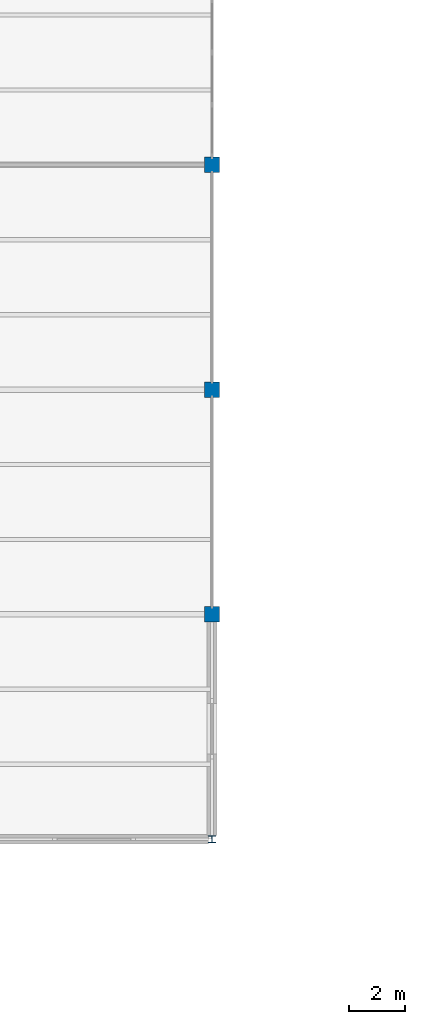
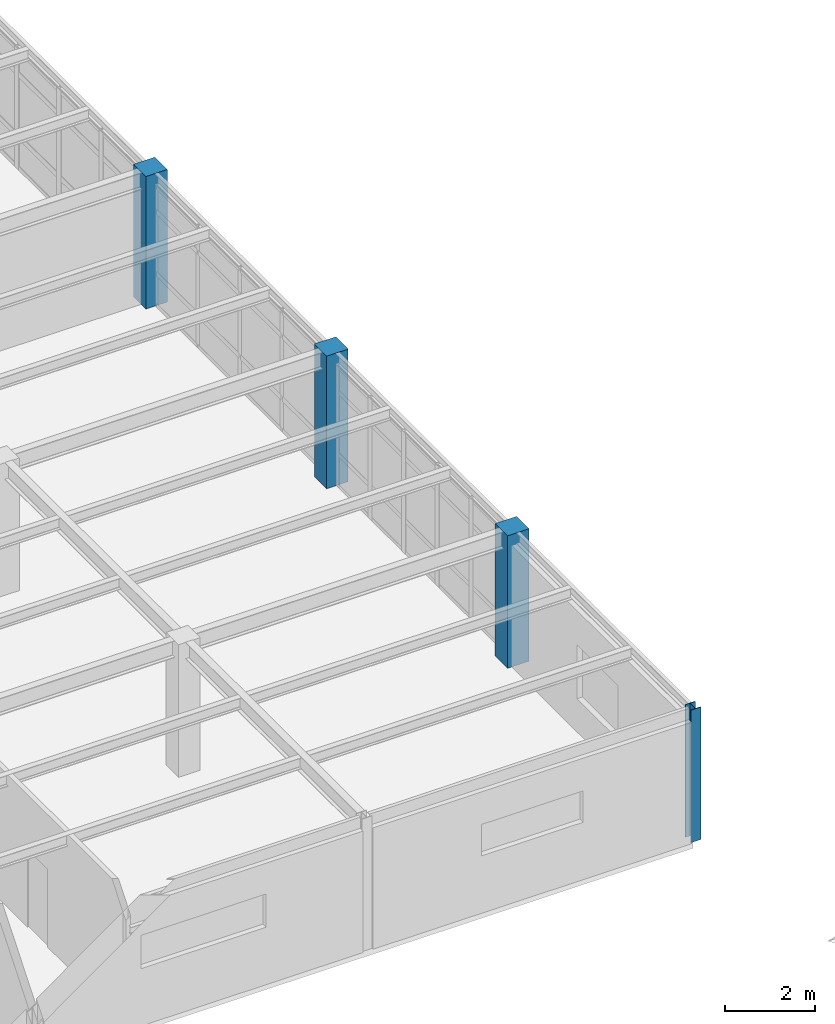
# One storey, part 3 of 53: 4 columns.
"""IFC4 building model written with IfcOpenShell, lengths in metres."""

from ifc_helpers import new_model, si_unit, direction, frame, origin, origin_2d, place, context, subcontext, project, spatial, rectangle, i_section, extrude, material, material_profile, profile_set, type_object, element, save


model = new_model("IFC4")

# Units and contexts
model_context = context("Model", 3, precision=1e-05, world=origin(), true_north=direction((0.0, 1.0)))
body_context = subcontext(model_context, "Body", "Model", "MODEL_VIEW")
ifc_project = project(units=[si_unit("LENGTHUNIT", "METRE"), si_unit("AREAUNIT", "SQUARE_METRE"), si_unit("VOLUMEUNIT", "CUBIC_METRE"), si_unit("PLANEANGLEUNIT", "RADIAN"), si_unit("MASSUNIT", "GRAM", prefix="KILO")], contexts=[model_context])

# Site, building, storey
site_placement = place(None, origin())
site = spatial("IfcSite", under=ifc_project, at=site_placement, CompositionType="ELEMENT")
building_placement = place(site_placement, origin())
building = spatial("IfcBuilding", under=site, at=building_placement, Name="Kranzveld Transit Interchange", CompositionType="ELEMENT")
storey_placement = place(building_placement, frame((0.0, 0.0, 13.360107421875)))
storey = spatial("IfcBuildingStorey", under=building, at=storey_placement, Name="L03", CompositionType="ELEMENT", Elevation=13.360107421875)

# Columns
ifc_material_1 = material(Name="Concrete C35/45", Category="concrete")
ifc_material_profile_1 = material_profile(ifc_material_1, rectangle(XDim=0.550048828125, YDim=0.550048828125, at=origin_2d()), Name="RC 550x550")
ifc_profile_set_1 = profile_set([ifc_material_profile_1], Name="Concrete C35/45")
column_type_1 = type_object("IfcColumnType", Name="Column RC 550x550 C35/45", PredefinedType="COLUMN", material=ifc_profile_set_1)
for number, where, z_axis, x_axis, name in (
    (1, (33.60009765625, 56.0, 0.0), (0.0, 0.0, 1.0), (1.0, 0.0, 0.0), "L03 Column 05/H"),
    (2, (33.60009765625, 64.0, 0.0), (0.0, 0.0, 1.0), (1.0, 0.0, 0.0), "L03 Column 05/J"),
    (3, (33.60009765625, 72.0, 0.0), (0.0, 0.0, 1.0), (1.0, 0.0, 0.0), "L03 Column 05/K"),
):
    element("IfcColumn", number, at=place(storey_placement, frame(where, z_axis=z_axis, x_axis=x_axis)), inside=storey, type_object=column_type_1, Name=name, PredefinedType="COLUMN", context=body_context, shape_type="SweptSolid", body=[
        extrude(rectangle(XDim=0.550048828125, YDim=0.550048828125, at=origin_2d()), origin(), (0.0, 0.0, 1.0), 3.579833984375),
    ])
ifc_material_2 = material(Name="Steel S355JR", Category="steel")
ifc_material_profile_2 = material_profile(ifc_material_2, i_section(OverallWidth=0.25634765625, OverallDepth=0.26025390625, WebThickness=0.01025390625, FlangeThickness=0.017333984375, FilletRadius=0.0126953125, at=origin_2d()), Name="UC 254x254x89")
ifc_profile_set_2 = profile_set([ifc_material_profile_2], Name="Steel S355JR")
column_type_2 = type_object("IfcColumnType", Name="Column Steel UC 254x254x89 S355JR", PredefinedType="COLUMN", material=ifc_profile_set_2)
column_placement = place(storey_placement, frame((33.60009765625, 48.0, 0.0), z_axis=(0.0, 0.0, 1.0), x_axis=(1.0, 0.0, 0.0)))
element("IfcColumn", 4, at=column_placement, inside=storey, type_object=column_type_2, Name="L03 Column 05/G", PredefinedType="COLUMN", context=body_context, shape_type="SweptSolid", body=[
    extrude(i_section(OverallWidth=0.25634765625, OverallDepth=0.26025390625, WebThickness=0.01025390625, FlangeThickness=0.017333984375, FilletRadius=0.0126953125, at=origin_2d()), origin(), (0.0, 0.0, 1.0), 3.579833984375),
])

save(model, "model.ifc")
